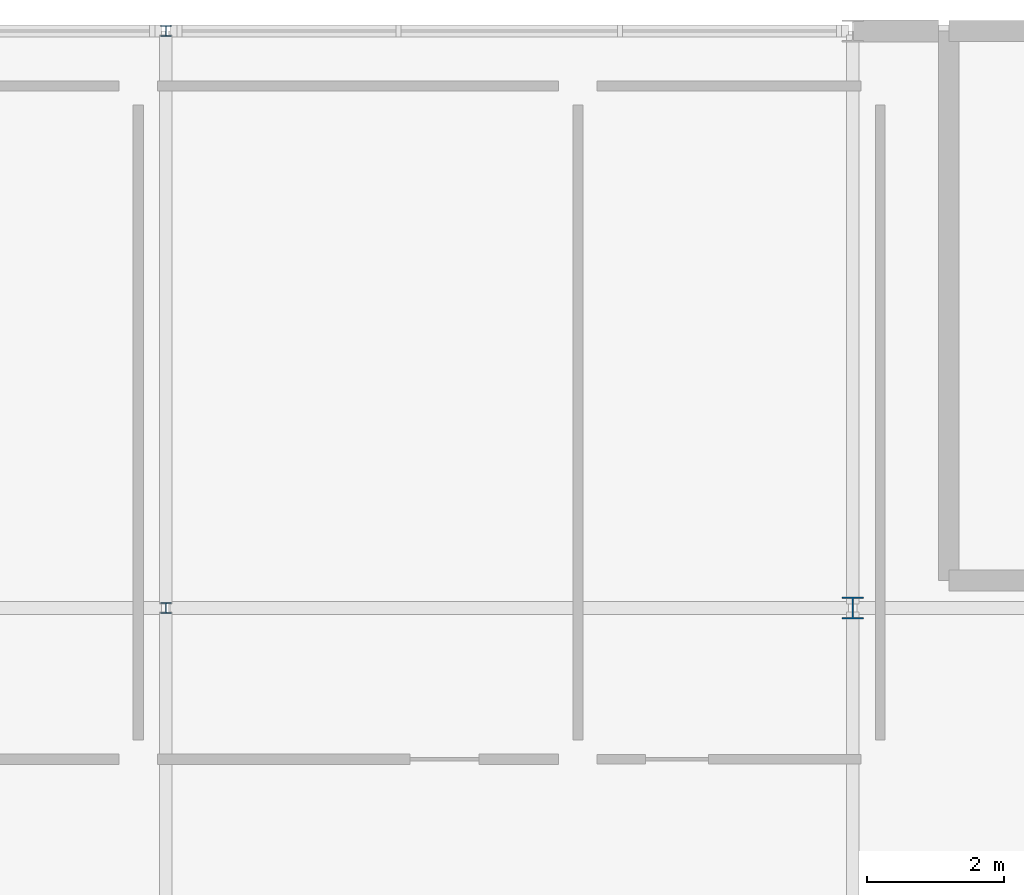
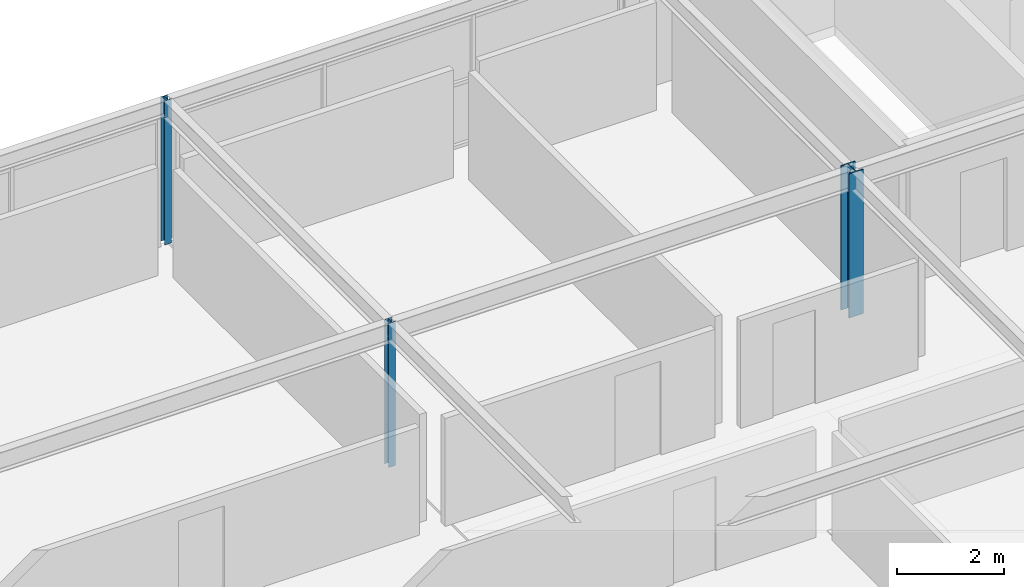
# One storey, part 5 of 12: 3 columns.
"""IFC4 building model written with IfcOpenShell, lengths in metres."""

from ifc_helpers import new_model, si_unit, derived_unit, direction, frame, origin, origin_2d_with_axis, place, context, subcontext, project, spatial, i_section, extrude, material, material_profile, profile_set, type_object, element, save


model = new_model("IFC4")

# Units and contexts
model_context = context("Model", 3, precision=1e-05, world=origin(), true_north=direction((0.0, 1.0)))
body_context = subcontext(model_context, "Body", "Model", "MODEL_VIEW")
ifc_project = project(units=[si_unit("LENGTHUNIT", "METRE"), si_unit("AREAUNIT", "SQUARE_METRE"), si_unit("VOLUMEUNIT", "CUBIC_METRE"), si_unit("PLANEANGLEUNIT", "RADIAN"), si_unit("MASSUNIT", "GRAM", prefix="KILO"), derived_unit("THERMALTRANSMITTANCEUNIT", [(si_unit("POWERUNIT", "WATT"), 1), (si_unit("LENGTHUNIT", "METRE"), -2), (si_unit("THERMODYNAMICTEMPERATUREUNIT", "KELVIN"), -1)])], contexts=[model_context])

# Site, building, storey
site_placement = place(None, origin())
site = spatial("IfcSite", under=ifc_project, at=site_placement, CompositionType="ELEMENT")
building_placement = place(site_placement, origin())
building = spatial("IfcBuilding", under=site, at=building_placement, Name="Cinnabar Yard Market Hall", CompositionType="ELEMENT")
storey_placement = place(building_placement, frame((0.0, 0.0, 15.300048828125)))
storey = spatial("IfcBuildingStorey", under=building, at=storey_placement, Name="L04", CompositionType="ELEMENT", Elevation=15.300048828125)

# Columns
ifc_material_1 = material(Name="Steel Grade 350 (350 MPa)", Category="steel")
ifc_material_profile_1 = material_profile(ifc_material_1, i_section(OverallWidth=0.311279296875, OverallDepth=0.3271484375, WebThickness=0.015625, FlangeThickness=0.02490234375, FilletRadius=0.0166015625, at=origin_2d_with_axis()), Name="310UC158")
ifc_profile_set_1 = profile_set([ifc_material_profile_1], Name="Steel Grade 350 (350 MPa)")
column_type_1 = type_object("IfcColumnType", Name="COL-C06", PredefinedType="COLUMN", material=ifc_profile_set_1)
column_1_placement = place(storey_placement, frame((126.0, 129.60009765625, 0.0), z_axis=(0.0, 0.0, 1.0), x_axis=(1.0, 0.0, 0.0)))
element("IfcColumn", 1, at=column_1_placement, inside=storey, type_object=column_type_1, Name="Belvedere Column V3-07-04 L04", PredefinedType="COLUMN", context=body_context, shape_type="SweptSolid", body=[
    extrude(i_section(OverallWidth=0.311279296875, OverallDepth=0.3271484375, WebThickness=0.015625, FlangeThickness=0.02490234375, FilletRadius=0.0166015625, at=origin_2d_with_axis()), origin(), (0.0, 0.0, 1.0), 3.300048828125),
])
ifc_material_2 = material(Name="Steel Grade 300 (300 MPa)", Category="steel")
ifc_material_profile_2 = material_profile(ifc_material_2, i_section(OverallWidth=0.15283203125, OverallDepth=0.15771484375, WebThickness=0.006591796875, FlangeThickness=0.009521484375, FilletRadius=0.0087890625, at=origin_2d_with_axis()), Name="150UC30.0")
ifc_profile_set_2 = profile_set([ifc_material_profile_2], Name="Steel Grade 300 (300 MPa)")
column_type_2 = type_object("IfcColumnType", Name="COL-C18", PredefinedType="COLUMN", material=ifc_profile_set_2)
column_2_placement = place(storey_placement, frame((116.0, 129.60009765625, 0.0), z_axis=(0.0, 0.0, 1.0), x_axis=(1.0, 0.0, 0.0)))
element("IfcColumn", 2, at=column_2_placement, inside=storey, type_object=column_type_2, Name="Belvedere Column V3-06-04 L04", PredefinedType="COLUMN", context=body_context, shape_type="SweptSolid", body=[
    extrude(i_section(OverallWidth=0.15283203125, OverallDepth=0.15771484375, WebThickness=0.006591796875, FlangeThickness=0.009521484375, FilletRadius=0.0087890625, at=origin_2d_with_axis()), origin(), (0.0, 0.0, 1.0), 3.300048828125),
])
ifc_material_profile_3 = material_profile(ifc_material_2, i_section(OverallWidth=0.152099609375, OverallDepth=0.15234375, WebThickness=0.005859375, FlangeThickness=0.0068359375, FilletRadius=0.0087890625, at=origin_2d_with_axis()), Name="150UC23.4")
ifc_profile_set_3 = profile_set([ifc_material_profile_3], Name="Steel Grade 300 (300 MPa)")
column_type_3 = type_object("IfcColumnType", Name="COL-C19E", PredefinedType="COLUMN", material=ifc_profile_set_3)
column_3_placement = place(storey_placement, frame((116.0, 138.0, 0.0), z_axis=(0.0, 0.0, 1.0), x_axis=(1.0, 0.0, 0.0)))
element("IfcColumn", 3, at=column_3_placement, inside=storey, type_object=column_type_3, Name="Belvedere Column V3-06-05 L04", PredefinedType="COLUMN", context=body_context, shape_type="SweptSolid", body=[
    extrude(i_section(OverallWidth=0.152099609375, OverallDepth=0.15234375, WebThickness=0.005859375, FlangeThickness=0.0068359375, FilletRadius=0.0087890625, at=origin_2d_with_axis()), origin(), (0.0, 0.0, 1.0), 3.300048828125),
])

save(model, "model.ifc")
